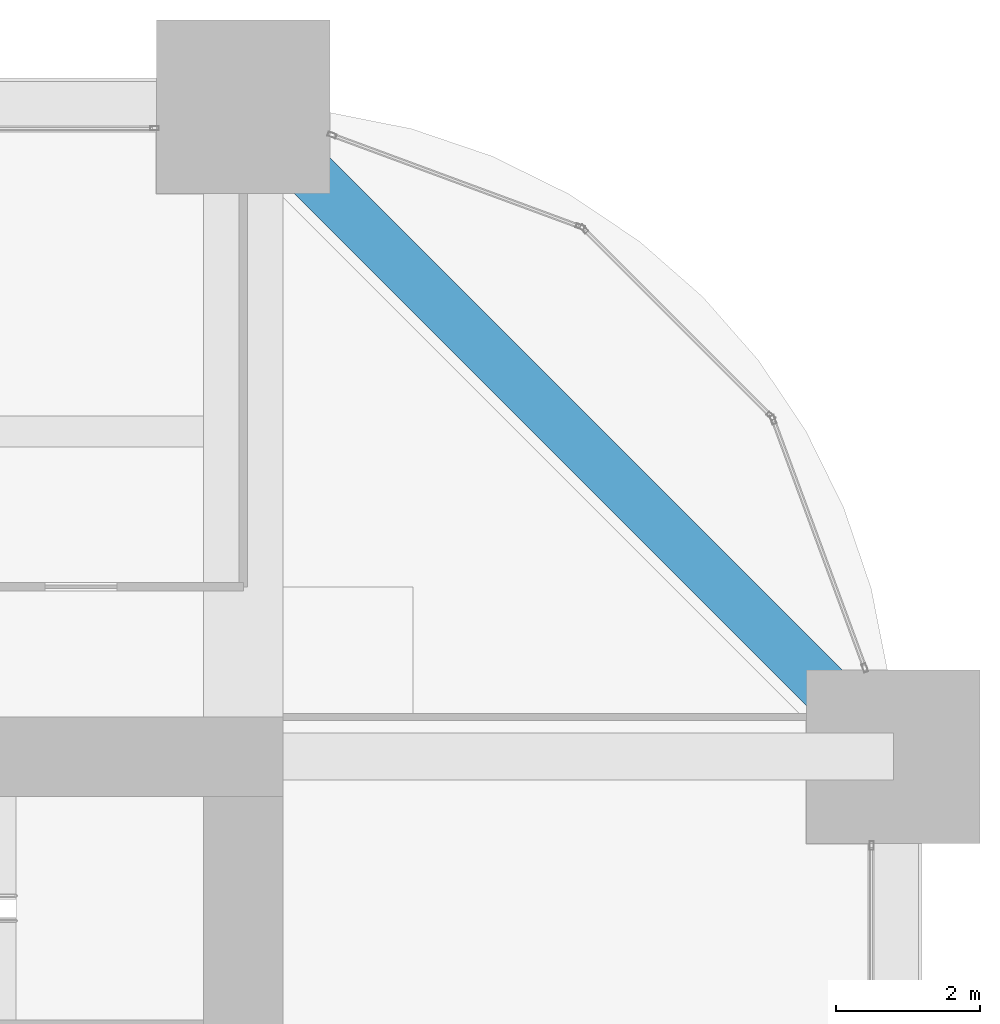
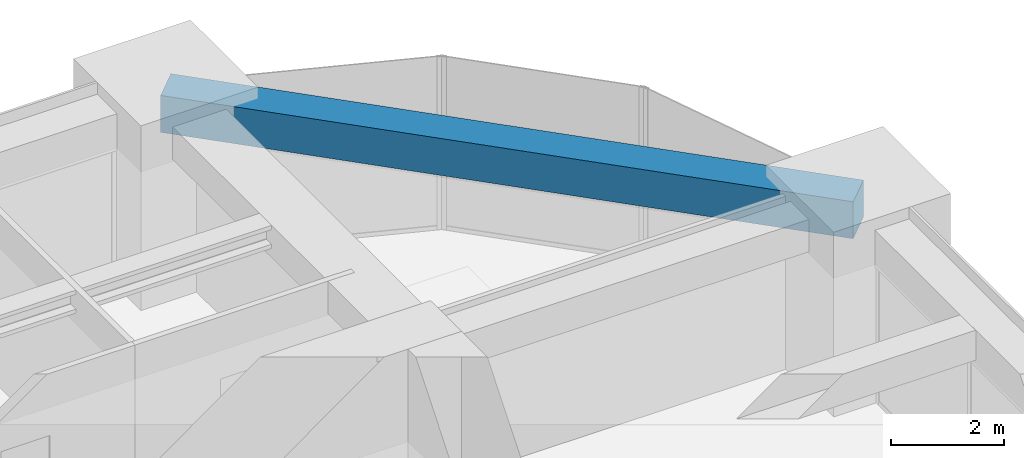
# One storey, part 39 of 45: 1 beam.
"""IFC4 building model written with IfcOpenShell, lengths in metres."""

from ifc_helpers import new_model, si_unit, direction, frame, origin, origin_2d, place, context, subcontext, project, spatial, rectangle, extrude, material, material_profile, profile_set, type_object, element, save


model = new_model("IFC4")

# Units and contexts
model_context = context("Model", 3, precision=1e-05, world=origin(), true_north=direction((0.0, 1.0)))
body_context = subcontext(model_context, "Body", "Model", "MODEL_VIEW")
ifc_project = project(units=[si_unit("LENGTHUNIT", "METRE"), si_unit("AREAUNIT", "SQUARE_METRE"), si_unit("VOLUMEUNIT", "CUBIC_METRE"), si_unit("PLANEANGLEUNIT", "RADIAN"), si_unit("MASSUNIT", "GRAM", prefix="KILO")], contexts=[model_context])

# Site, building, storey
site_placement = place(None, origin())
site = spatial("IfcSite", under=ifc_project, at=site_placement, CompositionType="ELEMENT")
building_placement = place(site_placement, origin())
building = spatial("IfcBuilding", under=site, at=building_placement, Name="Zorevar Civic Tower", CompositionType="ELEMENT")
storey_placement = place(building_placement, frame((0.0, 0.0, 247.39990234375)))
storey = spatial("IfcBuildingStorey", under=building, at=storey_placement, Name="L60", CompositionType="ELEMENT", Elevation=247.39990234375)

# Beam
ifc_material = material(Name="Concrete C50/60", Category="concrete")
ifc_material_profile = material_profile(ifc_material, rectangle(XDim=0.699951171875, YDim=0.800048828125, at=origin_2d()), Name="RC 700x800")
ifc_profile_set = profile_set([ifc_material_profile], Name="Concrete C50/60")
beam_type = type_object("IfcBeamType", Name="Edge beam RC 700x800", PredefinedType="SPANDREL", material=ifc_profile_set)
beam_placement = place(storey_placement, frame((54.0, 36.0, 3.35009765625), z_axis=(-0.707106781187, 0.707106781187, 0.0), x_axis=(-0.707106781187, -0.707106781187, 0.0)))
element("IfcBeam", 1, at=beam_placement, inside=storey, type_object=beam_type, Name="Corner edge beam L61", PredefinedType="SPANDREL", context=body_context, shape_type="SweptSolid", body=[
    extrude(rectangle(XDim=0.699951171875, YDim=0.800048828125, at=origin_2d()), origin(), (0.0, 0.0, 1.0), 12.72802734375),
])

save(model, "model.ifc")
